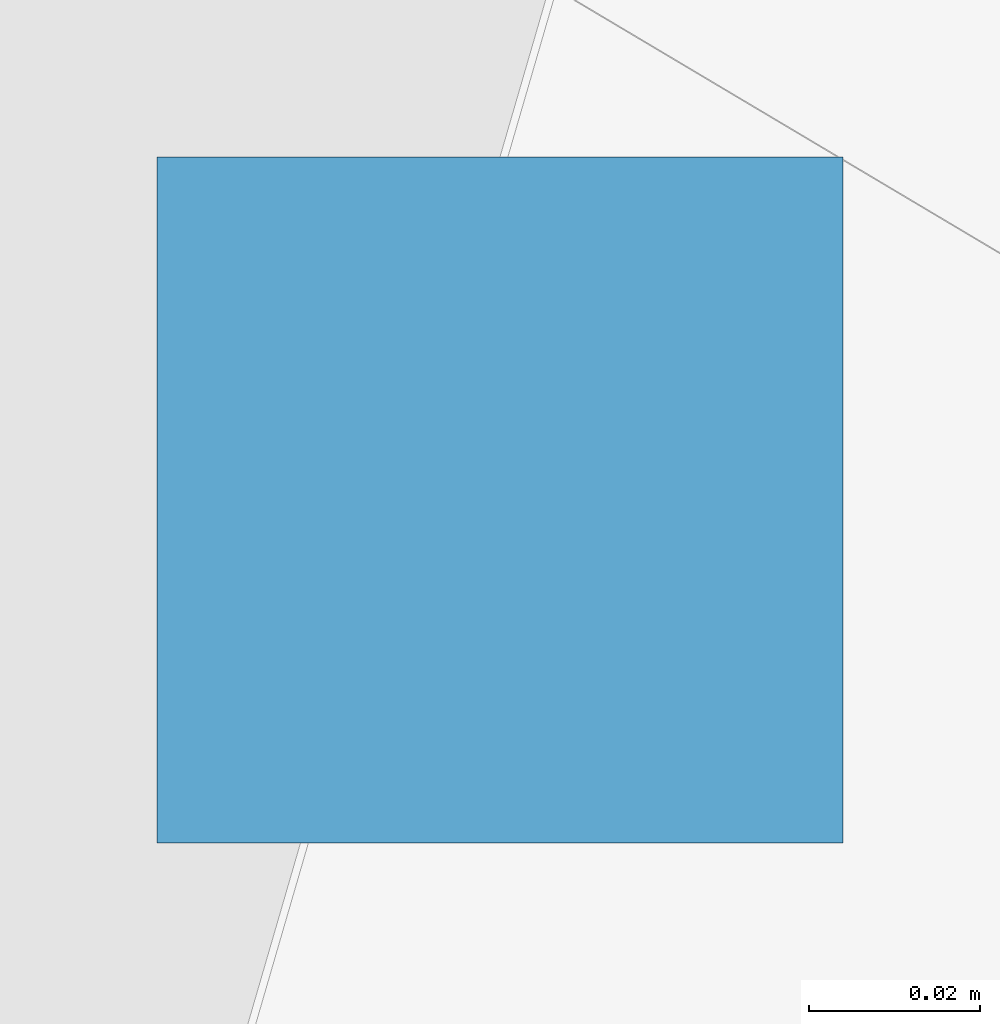
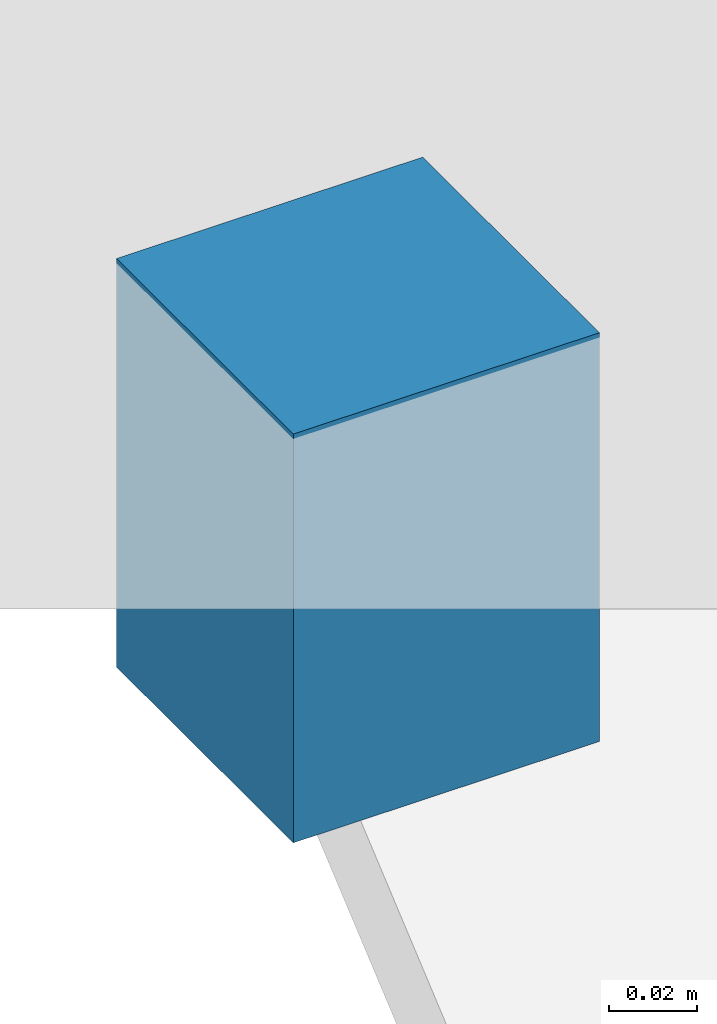
# One storey, part 18 of 23: 1 discrete accessory.
"""IFC4 building model written with IfcOpenShell, lengths in metres."""

from ifc_helpers import new_model, si_unit, direction, frame, origin, origin_2d, place, context, subcontext, project, spatial, rectangle, extrude, material, type_object, element, save


model = new_model("IFC4")

# Units and contexts
model_context = context("Model", 3, precision=1e-05, world=origin(), true_north=direction((0.0, 1.0)))
body_context = subcontext(model_context, "Body", "Model", "MODEL_VIEW")
ifc_project = project(units=[si_unit("LENGTHUNIT", "METRE"), si_unit("AREAUNIT", "SQUARE_METRE"), si_unit("VOLUMEUNIT", "CUBIC_METRE"), si_unit("PLANEANGLEUNIT", "RADIAN"), si_unit("MASSUNIT", "GRAM", prefix="KILO")], contexts=[model_context])

# Site, building, storey
site_placement = place(None, origin())
site = spatial("IfcSite", under=ifc_project, at=site_placement, CompositionType="ELEMENT")
building_placement = place(site_placement, origin())
building = spatial("IfcBuilding", under=site, at=building_placement, Name="Calabash Gate Tower", CompositionType="ELEMENT")
storey_placement = place(building_placement, frame((0.0, 0.0, 243.199951171875)))
storey = spatial("IfcBuildingStorey", under=building, at=storey_placement, Name="L58", CompositionType="ELEMENT", Elevation=243.199951171875)

# Discrete accessory
ifc_material = material(Name="Stainless steel 316 bracket", Category="steel")
discrete_accessory_type = type_object("IfcDiscreteAccessoryType", Name="Soffit bracket 80x80x120", PredefinedType="BRACKET", material=ifc_material)
discrete_accessory_placement = place(storey_placement, frame((21.05029296875, 7.552490234375, -0.98291015625), z_axis=(0.0, 0.0, 1.0), x_axis=(1.0, 0.0, 0.0)))
element("IfcDiscreteAccessory", 1, at=discrete_accessory_placement, inside=storey, type_object=discrete_accessory_type, Name="Soffit bracket Z5 NE SOF-Z5-NE-53", PredefinedType="BRACKET", context=body_context, shape_type="SweptSolid", body=[
    extrude(rectangle(XDim=0.080078125, YDim=0.080078125, at=origin_2d()), origin(), (0.0, 0.0, 1.0), 0.113037109375),
])

save(model, "model.ifc")
